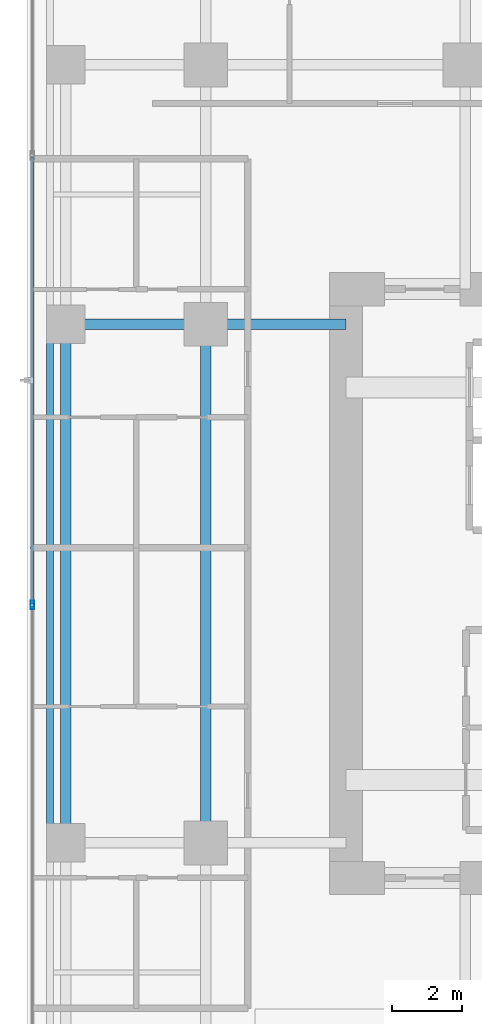
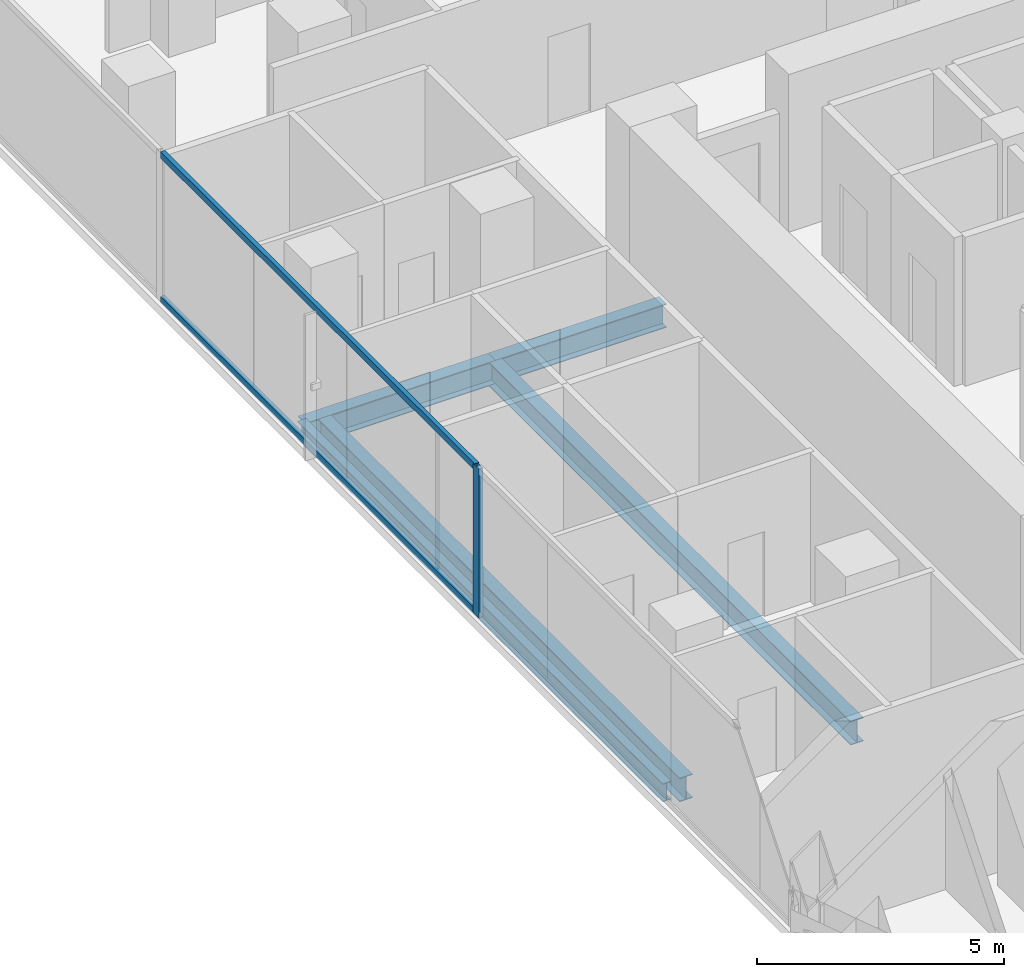
# One storey, part 6 of 30: 5 beams, 3 members, 1 element without a shape of its own.
"""IFC4 building model written with IfcOpenShell, lengths in metres."""

from ifc_helpers import new_model, si_unit, direction, frame, origin, origin_2d, place, context, subcontext, project, spatial, hollow_rectangle, i_section, extrude, material, layer, layer_set, material_profile, profile_set, type_object, element, aggregate, save


model = new_model("IFC4")

# Units and contexts
model_context = context("Model", 3, precision=1e-05, world=origin(), true_north=direction((0.0, 1.0)))
body_context = subcontext(model_context, "Body", "Model", "MODEL_VIEW")
ifc_project = project(units=[si_unit("LENGTHUNIT", "METRE"), si_unit("AREAUNIT", "SQUARE_METRE"), si_unit("VOLUMEUNIT", "CUBIC_METRE"), si_unit("PLANEANGLEUNIT", "RADIAN"), si_unit("MASSUNIT", "GRAM", prefix="KILO")], contexts=[model_context])

# Site, building, storey
site_placement = place(None, origin())
site = spatial("IfcSite", under=ifc_project, at=site_placement, CompositionType="ELEMENT")
building_placement = place(site_placement, origin())
building = spatial("IfcBuilding", under=site, at=building_placement, Name="Khorvyn Point Tower", CompositionType="ELEMENT")
storey_placement = place(building_placement, frame((0.0, 0.0, 117.300048828125)))
storey = spatial("IfcBuildingStorey", under=building, at=storey_placement, Name="L29", CompositionType="ELEMENT", Elevation=117.300048828125)

# Curtain wall, members
ifc_material_1 = material(Name="Anodised aluminium 6063-T6 and laminated Low-E glass", Category="aluminium")
ifc_layer = layer(ifc_material_1, 0.18994140625)
ifc_layer_set = layer_set([ifc_layer], Name="Stick-Built Acoustic Curtain Wall CW-SYS-03")
curtain_wall_type = type_object("IfcCurtainWallType", Name="Stick-Built Acoustic Curtain Wall CW-SYS-03", PredefinedType="NOTDEFINED", material=ifc_layer_set)
curtain_wall_placement = place(storey_placement, origin())
curtain_wall = element("IfcCurtainWall", 1, at=curtain_wall_placement, inside=storey, type_object=curtain_wall_type, Name="Curtain Wall", PredefinedType="NOTDEFINED")
ifc_material_2 = material(Name="Anodised aluminium 6063-T6", Category="aluminium")
ifc_material_profile_1 = material_profile(ifc_material_2, hollow_rectangle(XDim=0.10009765625, YDim=0.239990234375, WallThickness=0.0048828125, at=origin_2d()))
ifc_profile_set_1 = profile_set([ifc_material_profile_1], Name="Anodised aluminium 6063-T6 ALU-MUL-100x240")
member_type_1 = type_object("IfcMemberType", Name="Anodised Aluminium 6063-T6 Mullion ALU-MUL-100x240", PredefinedType="MULLION", material=ifc_profile_set_1)
member_1_placement = place(storey_placement, frame((-19.75, -0.61669921875, 0.0), z_axis=(0.0, 0.0, 1.0), x_axis=(-1.0, 0.0, 0.0)))
member_1 = element("IfcMember", 2, at=member_1_placement, type_object=member_type_1, Name="Transom", PredefinedType="MULLION", context=body_context, shape_type="SweptSolid", body=[
    extrude(hollow_rectangle(XDim=0.10009765625, YDim=0.239990234375, WallThickness=0.0048828125, at=origin_2d()), origin(), (0.0, 0.0, 1.0), 3.679931640625),
])
ifc_material_profile_2 = material_profile(ifc_material_2, hollow_rectangle(XDim=0.10009765625, YDim=0.159912109375, WallThickness=0.00439453125, at=origin_2d()))
ifc_profile_set_2 = profile_set([ifc_material_profile_2], Name="Anodised aluminium 6063-T6 ALU-TRN-100x160")
member_type_2 = type_object("IfcMemberType", Name="Anodised Aluminium 6063-T6 Transom ALU-TRN-100x160", PredefinedType="USERDEFINED", material=ifc_profile_set_2)
member_2_placement = place(storey_placement, frame((-19.75, -0.566650390625, 0.050048828125), z_axis=(0.0, 1.0, 0.0), x_axis=(-1.0, 0.0, 0.0)))
member_2 = element("IfcMember", 3, at=member_2_placement, type_object=member_type_2, Name="Transom", ObjectType="TRANSOM", PredefinedType="USERDEFINED", context=body_context, shape_type="SweptSolid", body=[
    extrude(hollow_rectangle(XDim=0.10009765625, YDim=0.159912109375, WallThickness=0.00439453125, at=origin_2d()), origin(), (0.0, 0.0, 1.0), 12.7333984375),
])
member_3_placement = place(storey_placement, frame((-19.75, -0.566650390625, 3.6298828125), z_axis=(0.0, 1.0, 0.0), x_axis=(-1.0, 0.0, 0.0)))
member_3 = element("IfcMember", 4, at=member_3_placement, type_object=member_type_2, Name="Transom", ObjectType="TRANSOM", PredefinedType="USERDEFINED", context=body_context, shape_type="SweptSolid", body=[
    extrude(hollow_rectangle(XDim=0.10009765625, YDim=0.159912109375, WallThickness=0.00439453125, at=origin_2d()), origin(), (0.0, 0.0, 1.0), 12.7333984375),
])
aggregate(curtain_wall, [member_1, member_2, member_3])

# Beams
ifc_material_3 = material(Name="Steel S355", Category="steel")
ifc_material_profile_3 = material_profile(ifc_material_3, i_section(OverallWidth=0.300048828125, OverallDepth=0.587890625, WebThickness=0.011962890625, FlangeThickness=0.02001953125, at=origin_2d()))
ifc_profile_set_3 = profile_set([ifc_material_profile_3], Name="Steel S355 H588x300x12x20")
beam_type_1 = type_object("IfcBeamType", Name="Steel S355 Beam H588x300x12x20", PredefinedType="BEAM", material=ifc_profile_set_3)
beam_1_placement = place(storey_placement, frame((-19.25, 7.39990234375, -0.51416015625), z_axis=(1.0, 0.0, 0.0), x_axis=(0.0, 1.0, 0.0)))
element("IfcBeam", 5, at=beam_1_placement, inside=storey, type_object=beam_type_1, Name="Beam", PredefinedType="BEAM", context=body_context, shape_type="SweptSolid", body=[
    extrude(i_section(OverallWidth=0.300048828125, OverallDepth=0.587890625, WebThickness=0.011962890625, FlangeThickness=0.02001953125, at=origin_2d()), origin(), (0.0, 0.0, 1.0), 4.449951171875),
])
beam_2_placement = place(storey_placement, frame((-14.800048828125, 7.39990234375, -0.51416015625), z_axis=(1.0, 0.0, 0.0), x_axis=(0.0, 1.0, 0.0)))
element("IfcBeam", 6, at=beam_2_placement, inside=storey, type_object=beam_type_1, Name="Beam", PredefinedType="BEAM", context=body_context, shape_type="SweptSolid", body=[
    extrude(i_section(OverallWidth=0.300048828125, OverallDepth=0.587890625, WebThickness=0.011962890625, FlangeThickness=0.02001953125, at=origin_2d()), origin(), (0.0, 0.0, 1.0), 4.0),
])
for number, where, z_axis, x_axis, name in (
    (7, (-14.800048828125, -7.39990234375, -0.51416015625), (0.0, 1.0, 0.0), (-1.0, 0.0, 0.0), "Beam"),
    (8, (-18.800048828125, -7.39990234375, -0.51416015625), (0.0, 1.0, 0.0), (-1.0, 0.0, 0.0), "Beam"),
):
    element("IfcBeam", number, at=place(storey_placement, frame(where, z_axis=z_axis, x_axis=x_axis)), inside=storey, type_object=beam_type_1, Name=name, PredefinedType="BEAM", context=body_context, shape_type="SweptSolid", body=[
        extrude(i_section(OverallWidth=0.300048828125, OverallDepth=0.587890625, WebThickness=0.011962890625, FlangeThickness=0.02001953125, at=origin_2d()), origin(), (0.0, 0.0, 1.0), 14.7998046875),
    ])
ifc_material_profile_4 = material_profile(ifc_material_3, i_section(OverallWidth=0.199951171875, OverallDepth=0.449951171875, WebThickness=0.009033203125, FlangeThickness=0.013916015625, at=origin_2d()))
ifc_profile_set_4 = profile_set([ifc_material_profile_4], Name="Steel S355 H450x200x9x14")
beam_type_2 = type_object("IfcBeamType", Name="Steel S355 Spandrel H450x200x9x14", PredefinedType="SPANDREL", material=ifc_profile_set_4)
beam_3_placement = place(storey_placement, frame((-19.25, -7.39990234375, -0.445068359375), z_axis=(0.0, 1.0, 0.0), x_axis=(-1.0, 0.0, 0.0)))
element("IfcBeam", 9, at=beam_3_placement, inside=storey, type_object=beam_type_2, Name="Beam", PredefinedType="SPANDREL", context=body_context, shape_type="SweptSolid", body=[
    extrude(i_section(OverallWidth=0.199951171875, OverallDepth=0.449951171875, WebThickness=0.009033203125, FlangeThickness=0.013916015625, at=origin_2d()), origin(), (0.0, 0.0, 1.0), 14.7998046875),
])

save(model, "model.ifc")
